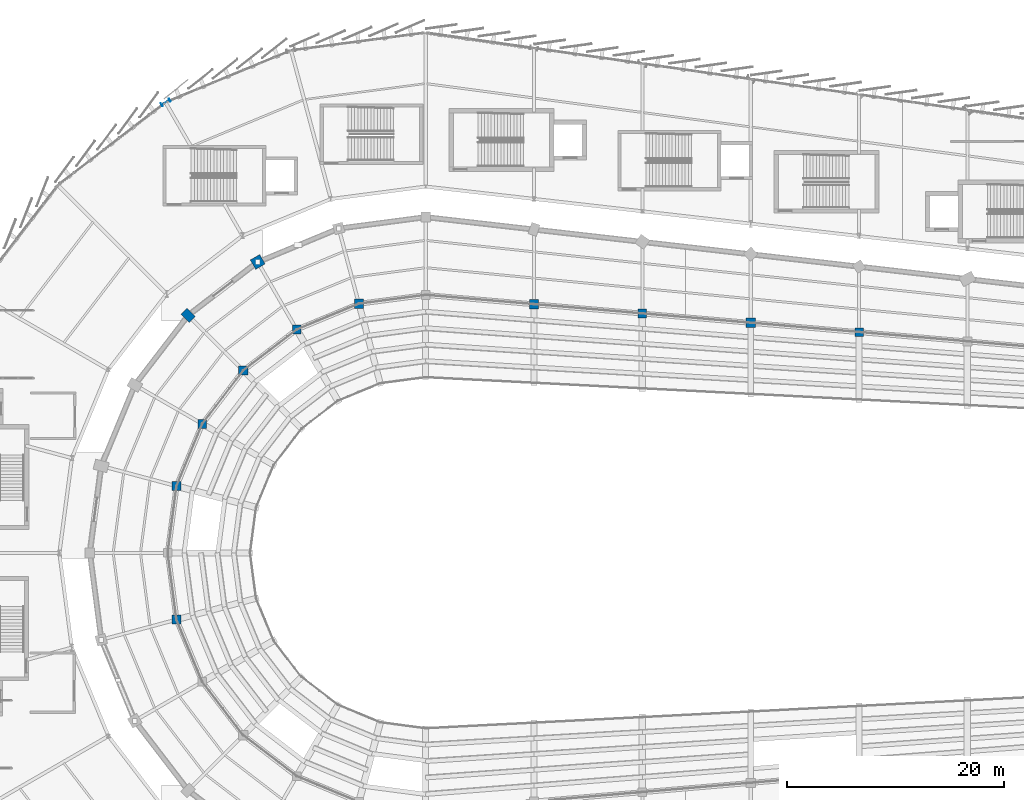
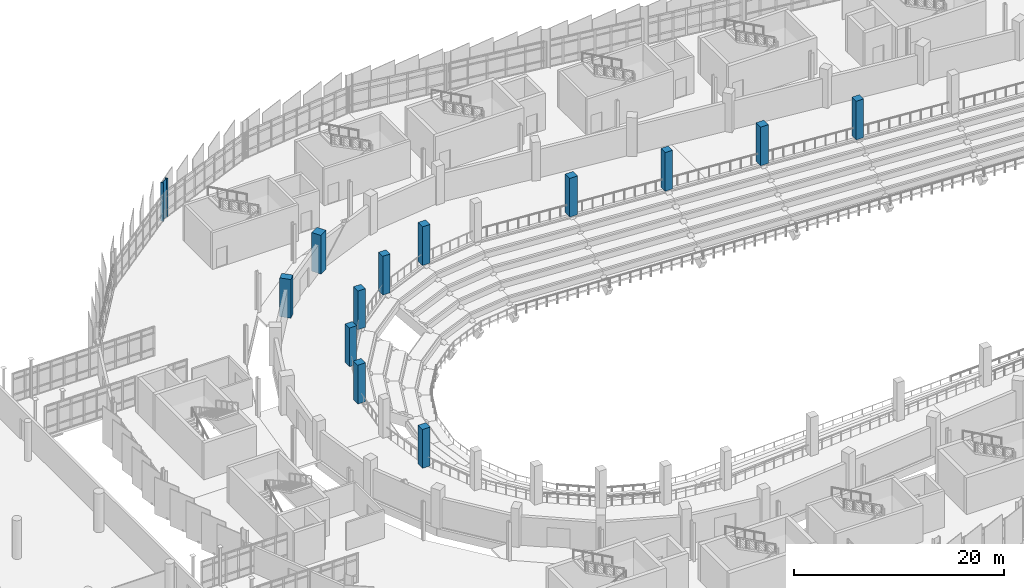
# One storey, part 14 of 134: 13 columns.
"""IFC4 building model written with IfcOpenShell, lengths in metres."""

import ifcopenshell
import ifcopenshell.guid

model = None  # the IFC model being written
_history = None  # IfcOwnerHistory: only IFC2X3 demands one
_inside = {}  # id of a spatial element -> (the spatial element, [elements in it])
_under = {}  # id of a project, library or spatial element -> (it, [spatial elements below it])
_declared = {}  # id of a project -> (the project, [libraries it declares])
_typed = {}  # id of a type object -> (the type object, [elements of that type])
_made_of = {}  # id of a material, layer set ... -> (it, [elements and type objects made of it])


def new_model(schema):
    """Start an empty IFC model of exactly this schema.

    Asked for "IFC4X3", IfcOpenShell would pick the latest addendum, in which some entities
    have other attributes; the version numbers below select the first issue.
    IFC2X3 requires an IfcOwnerHistory on every rooted entity: one is made here for all.
    """
    global model, _history
    if schema == "IFC4X3":
        model = ifcopenshell.file(schema_version=(4, 3, 0, 0))
    else:
        model = ifcopenshell.file(schema=schema)
    _inside.clear()
    _under.clear()
    _declared.clear()
    _typed.clear()
    _made_of.clear()
    _history = None
    if model.schema == "IFC2X3":
        org = make("IfcOrganization", Name="unknown")
        user = make(
            "IfcPersonAndOrganization",
            ThePerson=make("IfcPerson", FamilyName="unknown"),
            TheOrganization=org,
        )
        app = make(
            "IfcApplication",
            ApplicationDeveloper=org,
            Version="unknown",
            ApplicationFullName="unknown",
            ApplicationIdentifier="unknown",
        )
        _history = make(
            "IfcOwnerHistory",
            OwningUser=user,
            OwningApplication=app,
            ChangeAction="ADDED",
            CreationDate=0,
        )
    return model


def make(cls, **values):
    """One entity of the class cls with the attributes given. An attribute that is None is left unset."""
    return model.create_entity(
        cls, **{name: value for name, value in values.items() if value is not None}
    )


def rooted(cls, **values):
    """An entity with a GlobalId (a new one), such as an element, a storey or a relation."""
    return make(cls, GlobalId=ifcopenshell.guid.new(), OwnerHistory=_history, **values)


def si_unit(unit_type, name, prefix=None):
    """IfcSIUnit, for example si_unit("LENGTHUNIT", "METRE", prefix="MILLI")."""
    return make("IfcSIUnit", UnitType=unit_type, Prefix=prefix, Name=name)


def assignment(units):
    """IfcUnitAssignment: the units of a project."""
    return None if units is None else make("IfcUnitAssignment", Units=units)


def point(xyz):
    """IfcCartesianPoint."""
    return None if xyz is None else make("IfcCartesianPoint", Coordinates=xyz)


def direction(xyz):
    """IfcDirection."""
    return None if xyz is None else make("IfcDirection", DirectionRatios=xyz)


def frame(location, z_axis=None, x_axis=None):
    """IfcAxis2Placement3D, a coordinate frame: its origin and axes. An axis left out is left unset."""
    return make(
        "IfcAxis2Placement3D",
        Location=point(location),
        Axis=direction(z_axis),
        RefDirection=direction(x_axis),
    )


def frame_2d(location, x_axis=None):
    """IfcAxis2Placement2D, a coordinate frame in the plane: its origin and x axis."""
    return make(
        "IfcAxis2Placement2D", Location=point(location), RefDirection=direction(x_axis)
    )


def origin():
    """The frame at (0, 0, 0) with its axes left unset."""
    return frame((0.0, 0.0, 0.0))


def origin_2d():
    """The frame at (0, 0) in the plane with its x axis left unset."""
    return frame_2d((0.0, 0.0))


def place(relative_to, where):
    """IfcLocalPlacement: puts the frame where relative to a parent placement (None: the world)."""
    return make(
        "IfcLocalPlacement", PlacementRelTo=relative_to, RelativePlacement=where
    )


def context(
    kind, dimensions, precision=None, world=None, true_north=None, identifier=None
):
    """IfcGeometricRepresentationContext, for example the 3D "Model" context."""
    return make(
        "IfcGeometricRepresentationContext",
        ContextIdentifier=identifier,
        ContextType=kind,
        CoordinateSpaceDimension=dimensions,
        Precision=precision,
        WorldCoordinateSystem=world,
        TrueNorth=true_north,
    )


def subcontext(parent, identifier, kind, view, scale=None):
    """IfcGeometricRepresentationSubContext, for example "Body" below "Model"."""
    return make(
        "IfcGeometricRepresentationSubContext",
        ContextIdentifier=identifier,
        ContextType=kind,
        ParentContext=parent,
        TargetScale=scale,
        TargetView=view,
    )


def project(units=None, contexts=None):
    """IfcProject with its units and contexts."""
    return rooted(
        "IfcProject",
        Name="project",
        RepresentationContexts=contexts,
        UnitsInContext=assignment(units),
    )


def spatial(cls, under=None, at=None, **own):
    """A site, building, storey or space (cls), placed at a placement, below another one or the project."""
    s = rooted(cls, ObjectPlacement=at, **own)
    if under is not None:
        _under.setdefault(under.id(), (under, []))[1].append(s)
    return s


def profile(cls, at=None, kind="AREA", **sizes):
    """A parametric profile (cls). Its sizes go by their IFC names, for example OverallWidth=200.0."""
    return make(cls, ProfileType=kind, Position=at, **sizes)


def rectangle(**sizes):
    """IfcRectangleProfileDef."""
    return profile("IfcRectangleProfileDef", **sizes)


def i_section(**sizes):
    """IfcIShapeProfileDef."""
    return profile("IfcIShapeProfileDef", **sizes)


def extrude(swept, where, along, depth):
    """IfcExtrudedAreaSolid: the profile swept, set in the frame where, extruded along a direction by depth."""
    return make(
        "IfcExtrudedAreaSolid",
        SweptArea=swept,
        Position=where,
        ExtrudedDirection=direction(along),
        Depth=depth,
    )


def shape(context_of_items, identifier, shape_type, items):
    """IfcShapeRepresentation: the items that make up one representation, for example the "Body"."""
    return make(
        "IfcShapeRepresentation",
        ContextOfItems=context_of_items,
        RepresentationIdentifier=identifier,
        RepresentationType=shape_type,
        Items=items,
    )


def material(Name=None, Category=None):
    """IfcMaterial."""
    return make("IfcMaterial", Name=Name, Category=Category)


def material_profile(
    of_material, cross_section, Name=None, Category=None, Priority=None
):
    """IfcMaterialProfile: a cross section and its material."""
    return make(
        "IfcMaterialProfile",
        Name=Name,
        Material=of_material,
        Profile=cross_section,
        Priority=Priority,
        Category=Category,
    )


def profile_set(profiles, Name=None, composite=None):
    """IfcMaterialProfileSet."""
    return make(
        "IfcMaterialProfileSet",
        Name=Name,
        MaterialProfiles=profiles,
        CompositeProfile=composite,
    )


def made_of(thing, what):
    """Note that an element or type object is made of a material, layer set ...; save() writes the relation."""
    if what is not None:
        _made_of.setdefault(what.id(), (what, []))[1].append(thing)
    return thing


def type_object(cls, material=None, **own):
    """A type object (cls), such as IfcWallType, which elements share."""
    return made_of(rooted(cls, **own), material)


def element(
    cls,
    number,
    at=None,
    inside=None,
    cuts=None,
    type_object=None,
    material=None,
    context=None,
    identifier="Body",
    shape_type=None,
    held_by="IfcProductDefinitionShape",
    body=None,
    shapes=None,
    **own,
):
    """One element of the class cls, such as IfcWall. Its Tag is "e" and its number.

    at: its placement. inside: the storey or other place that contains it. cuts: it is an
    opening in that element (IfcRelVoidsElement). A single representation is given by context,
    identifier, shape_type and body (its items); several are given by shapes. held_by: the class
    of the entity that holds the representations. save() writes the other relations.
    """
    e = rooted(cls, Tag="e%d" % number, ObjectPlacement=at, **own)
    if body is not None:
        shapes = [shape(context, identifier, shape_type, body)]
    if shapes is not None:
        e.Representation = make(held_by, Representations=shapes)
    if inside is not None:
        _inside.setdefault(inside.id(), (inside, []))[1].append(e)
    if cuts is not None:
        rooted(
            "IfcRelVoidsElement", RelatingBuildingElement=cuts, RelatedOpeningElement=e
        )
    if type_object is not None:
        _typed.setdefault(type_object.id(), (type_object, []))[1].append(e)
    return made_of(e, material)


def aggregate(whole, parts):
    """IfcRelAggregates: a whole, such as a stair, and the parts it consists of."""
    return rooted("IfcRelAggregates", RelatingObject=whole, RelatedObjects=parts)


def save(model, path):
    """Write the relations noted so far, then the file.

    IfcRelAggregates (storeys below a building ...), IfcRelContainedInSpatialStructure (elements
    in a storey), IfcRelDefinesByType, IfcRelAssociatesMaterial and IfcRelDeclares: one each for
    every whole, place, type object, material and project.
    """
    for whole, parts in _under.values():
        aggregate(whole, parts)
    for where, things in _inside.values():
        rooted(
            "IfcRelContainedInSpatialStructure",
            RelatedElements=things,
            RelatingStructure=where,
        )
    for kind, things in _typed.values():
        rooted("IfcRelDefinesByType", RelatedObjects=things, RelatingType=kind)
    for what, things in _made_of.values():
        rooted("IfcRelAssociatesMaterial", RelatedObjects=things, RelatingMaterial=what)
    for by, libraries in _declared.values():
        rooted("IfcRelDeclares", RelatingContext=by, RelatedDefinitions=libraries)
    model.write(path)


model = new_model("IFC4")

# Units and contexts
model_context = context("Model", 3, precision=1e-05, world=origin(), true_north=direction((0.0, 1.0)))
body_context = subcontext(model_context, "Body", "Model", "MODEL_VIEW")
ifc_project = project(units=[si_unit("LENGTHUNIT", "METRE"), si_unit("AREAUNIT", "SQUARE_METRE"), si_unit("VOLUMEUNIT", "CUBIC_METRE"), si_unit("PLANEANGLEUNIT", "RADIAN"), si_unit("MASSUNIT", "GRAM", prefix="KILO")], contexts=[model_context])

# Site, building, storey
site_placement = place(None, origin())
site = spatial("IfcSite", under=ifc_project, at=site_placement, CompositionType="ELEMENT")
building_placement = place(site_placement, origin())
building = spatial("IfcBuilding", under=site, at=building_placement, Name="Sohan Crest Arena", CompositionType="ELEMENT")
storey_placement = place(building_placement, frame((0.0, 0.0, 4.5)))
storey = spatial("IfcBuildingStorey", under=building, at=storey_placement, Name="L01", CompositionType="ELEMENT", Elevation=4.5)

# Columns
ifc_material_1 = material(Name="Concrete C40/50", Category="concrete")
ifc_material_profile_1 = material_profile(ifc_material_1, rectangle(XDim=0.800048828125, YDim=0.800048828125, at=origin_2d()), Name="RC 800x800")
ifc_profile_set_1 = profile_set([ifc_material_profile_1], Name="Concrete C40/50")
column_type_1 = type_object("IfcColumnType", Name="STR-COL-C05", PredefinedType="COLUMN", material=ifc_profile_set_1)
for number, where, z_axis, x_axis, name in (
    (1, (86.10009765625, 98.611083984375, 0.0), (0.0, 0.0, 1.0), (1.0, 0.0, 0.0), "Structural column COL-V1M-03-L01"),
    (2, (77.388916015625, 89.89990234375, 0.0), (0.0, 0.0, 1.0), (1.0, 0.0, 0.0), "Structural column COL-V1M-05-L01"),
    (3, (138.0, 98.37109375, 0.0), (0.0, 0.0, 1.0), (1.0, 0.0, 0.0), "Structural column COL-V1M-31-L01"),
    (4, (118.0, 100.0859375, 0.0), (0.0, 0.0, 1.0), (1.0, 0.0, 0.0), "Structural column COL-V1M-33-L01"),
):
    element("IfcColumn", number, at=place(storey_placement, frame(where, z_axis=z_axis, x_axis=x_axis)), inside=storey, type_object=column_type_1, Name=name, PredefinedType="COLUMN", context=body_context, shape_type="SweptSolid", body=[
        extrude(rectangle(XDim=0.800048828125, YDim=0.800048828125, at=origin_2d()), origin(), (0.0, 0.0, 1.0), 4.5),
    ])
ifc_material_profile_2 = material_profile(ifc_material_1, rectangle(XDim=0.85009765625, YDim=0.85009765625, at=origin_2d()), Name="RC 850x850")
ifc_profile_set_2 = profile_set([ifc_material_profile_2], Name="Concrete C40/50")
column_type_2 = type_object("IfcColumnType", Name="STR-COL-C06", PredefinedType="COLUMN", material=ifc_profile_set_2)
for number, where, z_axis, x_axis, name in (
    (5, (91.840087890625, 100.989013671875, 0.0), (0.0, 0.0, 1.0), (1.0, 0.0, 0.0), "Structural column COL-V1M-02-L01"),
    (6, (81.1708984375, 94.8291015625, 0.0), (0.0, 0.0, 1.0), (1.0, 0.0, 0.0), "Structural column COL-V1M-04-L01"),
    (7, (75.010986328125, 84.159912109375, 0.0), (0.0, 0.0, 1.0), (1.0, 0.0, 0.0), "Structural column COL-V1M-06-L01"),
    (8, (75.010986328125, 71.840087890625, 0.0), (0.0, 0.0, 1.0), (1.0, 0.0, 0.0), "Structural column COL-V1M-08-L01"),
    (9, (128.0, 99.22900390625, 0.0), (0.0, 0.0, 1.0), (1.0, 0.0, 0.0), "Structural column COL-V1M-32-L01"),
    (10, (108.0, 100.943115234375, 0.0), (0.0, 0.0, 1.0), (1.0, 0.0, 0.0), "Structural column COL-V1M-34-L01"),
):
    element("IfcColumn", number, at=place(storey_placement, frame(where, z_axis=z_axis, x_axis=x_axis)), inside=storey, type_object=column_type_2, Name=name, PredefinedType="COLUMN", context=body_context, shape_type="SweptSolid", body=[
        extrude(rectangle(XDim=0.85009765625, YDim=0.85009765625, at=origin_2d()), origin(), (0.0, 0.0, 1.0), 4.5),
    ])
ifc_material_profile_3 = material_profile(ifc_material_1, rectangle(XDim=1.0, YDim=1.0, at=origin_2d()), Name="RC 1000x1000")
ifc_profile_set_3 = profile_set([ifc_material_profile_3], Name="Concrete C40/50")
column_type_3 = type_object("IfcColumnType", Name="STR-COL-C09", PredefinedType="COLUMN", material=ifc_profile_set_3)
column_1_placement = place(storey_placement, frame((82.5, 104.846923828125, 0.0), z_axis=(0.0, 0.0, 1.0), x_axis=(-0.5, 0.866025403784, 0.0)))
element("IfcColumn", 11, at=column_1_placement, inside=storey, type_object=column_type_3, Name="Structural column COL-V1R-03-L01", PredefinedType="COLUMN", context=body_context, shape_type="SweptSolid", body=[
    extrude(rectangle(XDim=1.0, YDim=1.0, at=origin_2d()), origin(), (0.0, 0.0, 1.0), 4.5),
])
ifc_material_profile_4 = material_profile(ifc_material_1, rectangle(XDim=1.10009765625, YDim=0.800048828125, at=origin_2d()), Name="RC 1100x800")
ifc_profile_set_4 = profile_set([ifc_material_profile_4], Name="Concrete C40/50")
column_type_4 = type_object("IfcColumnType", Name="STR-COL-C10", PredefinedType="COLUMN", material=ifc_profile_set_4)
column_2_placement = place(storey_placement, frame((76.080078125, 99.919921875, 0.0), z_axis=(0.0, 0.0, 1.0), x_axis=(-0.707106781187, 0.707106781187, 0.0)))
element("IfcColumn", 12, at=column_2_placement, inside=storey, type_object=column_type_4, Name="Structural column COL-V1R-04-L01", PredefinedType="COLUMN", context=body_context, shape_type="SweptSolid", body=[
    extrude(rectangle(XDim=1.10009765625, YDim=0.800048828125, at=origin_2d()), origin(), (0.0, 0.0, 1.0), 4.5),
])
ifc_material_2 = material(Name="Steel S355", Category="steel")
ifc_material_profile_5 = material_profile(ifc_material_2, i_section(OverallWidth=0.300048828125, OverallDepth=0.89990234375, WebThickness=0.0185546875, FlangeThickness=0.034912109375, at=origin_2d()), Name="HEB 900")
ifc_profile_set_5 = profile_set([ifc_material_profile_5], Name="Steel S355")
column_type_5 = type_object("IfcColumnType", Name="STR-COL-C23", PredefinedType="COLUMN", material=ifc_profile_set_5)
column_3_placement = place(storey_placement, frame((74.0, 119.569091796875, 0.0), z_axis=(0.0, 0.0, 1.0), x_axis=(-0.5, 0.866025403784, 0.0)))
element("IfcColumn", 13, at=column_3_placement, inside=storey, type_object=column_type_5, Name="Structural column COL-V2O-03-L01", PredefinedType="COLUMN", context=body_context, shape_type="SweptSolid", body=[
    extrude(i_section(OverallWidth=0.300048828125, OverallDepth=0.89990234375, WebThickness=0.0185546875, FlangeThickness=0.034912109375, at=origin_2d()), origin(), (0.0, 0.0, 1.0), 4.5),
])

save(model, "model.ifc")
